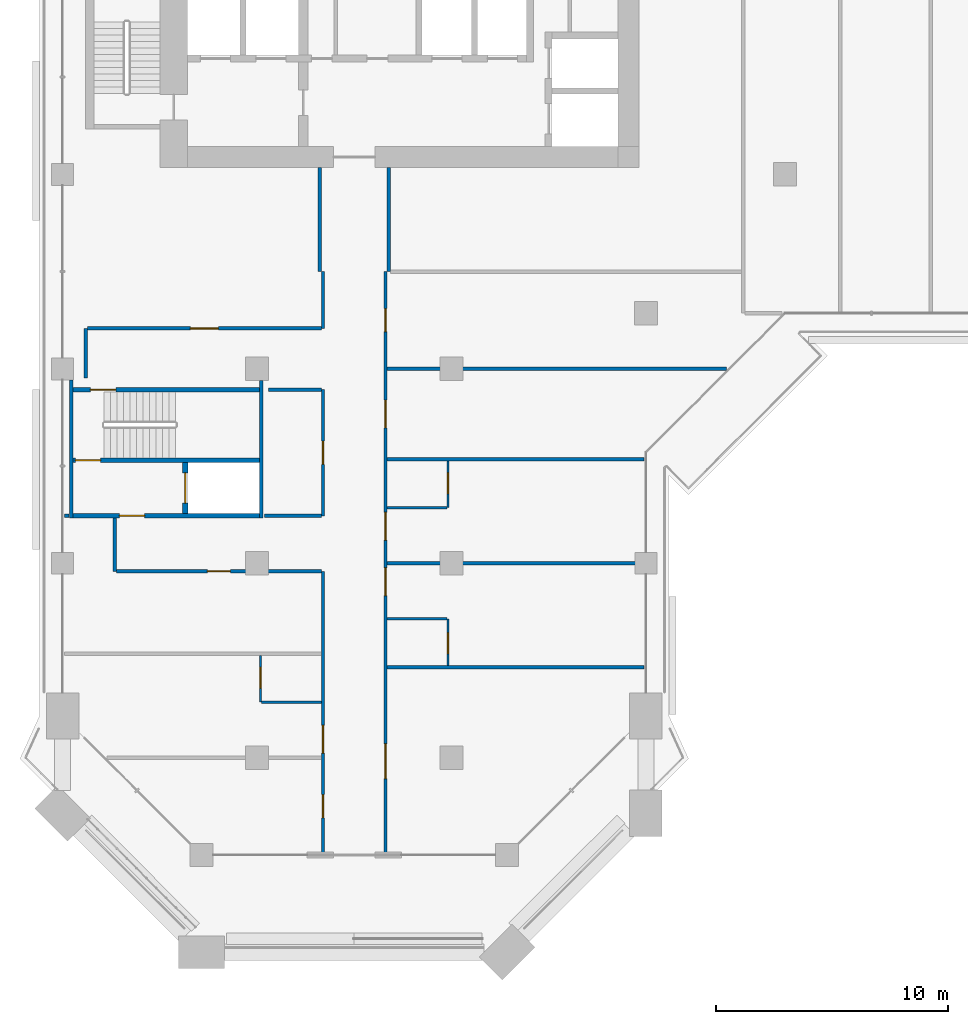
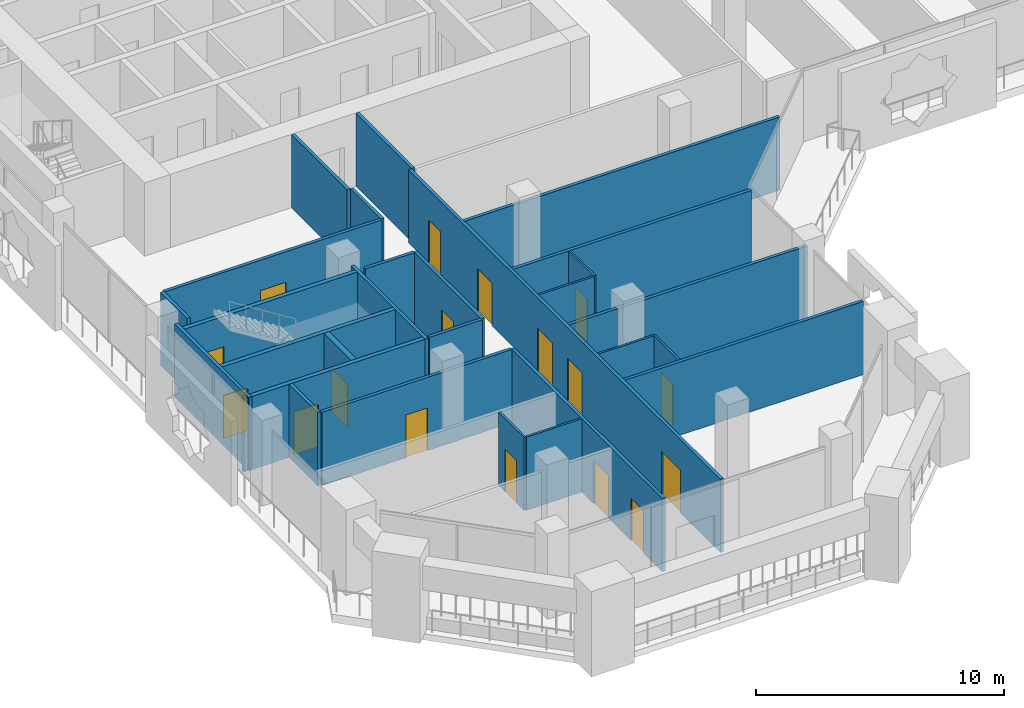
# One storey, part 10 of 22: 29 walls, 17 doors, 17 openings.
"""IFC4 building model written with IfcOpenShell, lengths in metres."""

from ifc_helpers import new_model, si_unit, direction, frame, frame_2d, origin, place, context, subcontext, project, spatial, rectangle, extrude, material, layer, layer_set, type_object, element, fill, save


model = new_model("IFC4")

# Units and contexts
model_context = context("Model", 3, precision=1e-05, world=origin(), true_north=direction((0.0, 1.0)))
body_context = subcontext(model_context, "Body", "Model", "MODEL_VIEW")
ifc_project = project(units=[si_unit("LENGTHUNIT", "METRE"), si_unit("AREAUNIT", "SQUARE_METRE"), si_unit("VOLUMEUNIT", "CUBIC_METRE"), si_unit("PLANEANGLEUNIT", "RADIAN"), si_unit("MASSUNIT", "GRAM", prefix="KILO")], contexts=[model_context])

# Site, building, storey
site_placement = place(None, origin())
site = spatial("IfcSite", under=ifc_project, at=site_placement, CompositionType="ELEMENT")
building_placement = place(site_placement, origin())
building = spatial("IfcBuilding", under=site, at=building_placement, Name="Kawkab Arch Medical Tower", CompositionType="ELEMENT")
storey_placement = place(building_placement, frame((0.0, 0.0, 171.0)))
storey = spatial("IfcBuildingStorey", under=building, at=storey_placement, Name="L39", CompositionType="ELEMENT", Elevation=171.0)

# Wall, opening, door
ifc_material_1 = material(Name="Concrete C60/75", Category="concrete")
ifc_layer_1 = layer(ifc_material_1, 0.25)
ifc_layer_set_1 = layer_set([ifc_layer_1], Name="Concrete C60/75")
wall_type_1 = type_object("IfcWallType", Name="Core shear wall 250 C60/75", PredefinedType="SHEAR", material=ifc_layer_set_1)
wall_1_placement = place(storey_placement, frame((5.300048828125, -39.85009765625, 0.0), z_axis=(0.0, 0.0, 1.0), x_axis=(0.0, 1.0, 0.0)))
wall_1 = element("IfcWall", 1, at=wall_1_placement, inside=storey, type_object=wall_type_1, Name="L39 core shear wall", PredefinedType="SHEAR", context=body_context, shape_type="SweptSolid", body=[
    extrude(rectangle(XDim=2.2001953125, YDim=0.25, at=frame_2d((1.10009765625, 0.0))), origin(), (0.0, 0.0, 1.0), 3.60009765625),
])
opening_1_placement = place(wall_1_placement, frame((0.449951171875, 0.0, 0.0)))
opening_1 = element("IfcOpeningElement", 2, at=opening_1_placement, cuts=wall_1, Name="Opening LD2", PredefinedType="OPENING", context=body_context, shape_type="SweptSolid", body=[
    extrude(rectangle(XDim=1.300048828125, YDim=2.10009765625, at=frame_2d((0.64990234375, 1.050048828125))), frame((0.0, 0.135009765625, 0.0), z_axis=(0.0, -1.0, 0.0), x_axis=(1.0, 0.0, 0.0)), (0.0, 0.0, 1.0), 0.27001953125),
])
ifc_material_2 = material(Name="Stainless steel lift door leaf", Category="steel")
door_type_1 = type_object("IfcDoorType", Name="Lift landing door 1300", OperationType="DOUBLE_DOOR_SLIDING", PredefinedType="DOOR", material=ifc_material_2)
door_1_placement = place(opening_1_placement, origin())
door_1 = element("IfcDoor", 3, at=door_1_placement, inside=storey, type_object=door_type_1, Name="L39 Lift landing door SV2", OperationType="DOUBLE_DOOR_SLIDING", OverallHeight=2.10009765625, OverallWidth=1.300048828125, PredefinedType="DOOR", context=body_context, shape_type="SweptSolid", body=[
    extrude(rectangle(XDim=1.300048828125, YDim=2.10009765625, at=frame_2d((0.64990234375, 1.050048828125))), frame((0.0, 0.02490234375, 0.0), z_axis=(0.0, -1.0, 0.0), x_axis=(1.0, 0.0, 0.0)), (0.0, 0.0, 1.0), 0.050048828125),
])
fill(opening_1, door_1)

# Walls
ifc_material_3 = material(Name="Gypsum board partition on steel studs", Category="steel")
ifc_layer_2 = layer(ifc_material_3, 0.10009765625)
ifc_layer_set_2 = layer_set([ifc_layer_2], Name="Gypsum board partition on steel studs")
wall_type_2 = type_object("IfcWallType", Name="Partition 100", PredefinedType="PARTITIONING", material=ifc_layer_set_2)
wall_2_placement = place(storey_placement, frame((8.60009765625, -48.0, 0.0), z_axis=(0.0, 0.0, 1.0), x_axis=(1.0, 0.0, 0.0)))
element("IfcWall", 4, at=wall_2_placement, inside=storey, type_object=wall_type_2, Name="Partition 100 w001", PredefinedType="PARTITIONING", context=body_context, shape_type="SweptSolid", body=[
    extrude(rectangle(XDim=2.574951171875, YDim=0.10009765625, at=frame_2d((1.28759765625, 0.0))), origin(), (0.0, 0.0, 1.0), 3.60009765625),
])
for number, where, z_axis, x_axis, name in (
    (5, (14.02490234375, -44.39990234375, 0.0), (0.0, 0.0, 1.0), (1.0, 0.0, 0.0), "Partition 100 w002"),
    (6, (14.02490234375, -39.60009765625, 0.0), (0.0, 0.0, 1.0), (1.0, 0.0, 0.0), "Partition 100 w003"),
):
    element("IfcWall", number, at=place(storey_placement, frame(where, z_axis=z_axis, x_axis=x_axis)), inside=storey, type_object=wall_type_2, Name=name, PredefinedType="PARTITIONING", context=body_context, shape_type="SweptSolid", body=[
        extrude(rectangle(XDim=2.5751953125, YDim=0.10009765625, at=frame_2d((1.28759765625, 0.0))), origin(), (0.0, 0.0, 1.0), 3.60009765625),
    ])

# Wall, opening, door
wall_3_placement = place(storey_placement, frame((8.550048828125, -48.0, 0.0), z_axis=(0.0, 0.0, 1.0), x_axis=(0.0, 1.0, 0.0)))
wall_3 = element("IfcWall", 7, at=wall_3_placement, inside=storey, type_object=wall_type_2, Name="Partition 100 w009", PredefinedType="PARTITIONING", context=body_context, shape_type="SweptSolid", body=[
    extrude(rectangle(XDim=2.02490234375, YDim=0.10009765625, at=frame_2d((1.012451171875, 0.0))), origin(), (0.0, 0.0, 1.0), 3.60009765625),
])
opening_2_placement = place(wall_3_placement, frame((0.60009765625, 0.0, 0.0)))
opening_2 = element("IfcOpeningElement", 8, at=opening_2_placement, cuts=wall_3, Name="Opening W39-009", PredefinedType="OPENING", context=body_context, shape_type="SweptSolid", body=[
    extrude(rectangle(XDim=0.89990234375, YDim=2.10009765625, at=frame_2d((0.449951171875, 1.050048828125))), frame((0.0, 0.06005859375, 0.0), z_axis=(0.0, -1.0, 0.0), x_axis=(1.0, 0.0, 0.0)), (0.0, 0.0, 1.0), 0.1201171875),
])
ifc_material_4 = material(Name="Timber door leaf", Category="wood")
door_type_2 = type_object("IfcDoorType", Name="Single door 900x2100", OperationType="NOTDEFINED", PredefinedType="DOOR", material=ifc_material_4)
door_2_placement = place(opening_2_placement, origin())
door_2 = element("IfcDoor", 9, at=door_2_placement, inside=storey, type_object=door_type_2, Name="Door W39-009", OperationType="SINGLE_SWING_RIGHT", OverallHeight=2.10009765625, OverallWidth=0.89990234375, PredefinedType="DOOR", context=body_context, shape_type="SweptSolid", body=[
    extrude(rectangle(XDim=0.89990234375, YDim=2.10009765625, at=frame_2d((0.449951171875, 1.050048828125))), frame((0.0, 0.02490234375, 0.0), z_axis=(0.0, -1.0, 0.0), x_axis=(1.0, 0.0, 0.0)), (0.0, 0.0, 1.0), 0.050048828125),
])
fill(opening_2, door_2)

wall_4_placement = place(storey_placement, frame((16.64990234375, -46.425048828125, 0.0), z_axis=(0.0, 0.0, 1.0), x_axis=(0.0, 1.0, 0.0)))
wall_4 = element("IfcWall", 10, at=wall_4_placement, inside=storey, type_object=wall_type_2, Name="Partition 100 w010", PredefinedType="PARTITIONING", context=body_context, shape_type="SweptSolid", body=[
    extrude(rectangle(XDim=2.025146484375, YDim=0.10009765625, at=frame_2d((1.0126953125, 0.0))), origin(), (0.0, 0.0, 1.0), 3.60009765625),
])
opening_3_placement = place(wall_4_placement, frame((0.52490234375, 0.0, 0.0)))
opening_3 = element("IfcOpeningElement", 11, at=opening_3_placement, cuts=wall_4, Name="Opening W39-011", PredefinedType="OPENING", context=body_context, shape_type="SweptSolid", body=[
    extrude(rectangle(XDim=0.89990234375, YDim=2.10009765625, at=frame_2d((0.449951171875, 1.050048828125))), frame((0.0, 0.06005859375, 0.0), z_axis=(0.0, -1.0, 0.0), x_axis=(1.0, 0.0, 0.0)), (0.0, 0.0, 1.0), 0.1201171875),
])
door_3_placement = place(opening_3_placement, origin())
door_3 = element("IfcDoor", 12, at=door_3_placement, inside=storey, type_object=door_type_2, Name="Door W39-011", OperationType="SINGLE_SWING_RIGHT", OverallHeight=2.10009765625, OverallWidth=0.89990234375, PredefinedType="DOOR", context=body_context, shape_type="SweptSolid", body=[
    extrude(rectangle(XDim=0.89990234375, YDim=2.10009765625, at=frame_2d((0.449951171875, 1.050048828125))), frame((0.0, 0.02490234375, 0.0), z_axis=(0.0, -1.0, 0.0), x_axis=(1.0, 0.0, 0.0)), (0.0, 0.0, 1.0), 0.050048828125),
])
fill(opening_3, door_3)

wall_5_placement = place(storey_placement, frame((16.64990234375, -39.60009765625, 0.0), z_axis=(0.0, 0.0, 1.0), x_axis=(0.0, 1.0, 0.0)))
wall_5 = element("IfcWall", 13, at=wall_5_placement, inside=storey, type_object=wall_type_2, Name="Partition 100 w011", PredefinedType="PARTITIONING", context=body_context, shape_type="SweptSolid", body=[
    extrude(rectangle(XDim=2.025146484375, YDim=0.10009765625, at=frame_2d((1.0126953125, 0.0))), origin(), (0.0, 0.0, 1.0), 3.60009765625),
])
opening_4_placement = place(wall_5_placement, frame((0.60009765625, 0.0, 0.0)))
opening_4 = element("IfcOpeningElement", 14, at=opening_4_placement, cuts=wall_5, Name="Opening W39-010", PredefinedType="OPENING", context=body_context, shape_type="SweptSolid", body=[
    extrude(rectangle(XDim=0.89990234375, YDim=2.10009765625, at=frame_2d((0.449951171875, 1.050048828125))), frame((0.0, 0.06005859375, 0.0), z_axis=(0.0, -1.0, 0.0), x_axis=(1.0, 0.0, 0.0)), (0.0, 0.0, 1.0), 0.1201171875),
])
door_4_placement = place(opening_4_placement, origin())
door_4 = element("IfcDoor", 15, at=door_4_placement, inside=storey, type_object=door_type_2, Name="Door W39-010", OperationType="SINGLE_SWING_RIGHT", OverallHeight=2.10009765625, OverallWidth=0.89990234375, PredefinedType="DOOR", context=body_context, shape_type="SweptSolid", body=[
    extrude(rectangle(XDim=0.89990234375, YDim=2.10009765625, at=frame_2d((0.449951171875, 1.050048828125))), frame((0.0, 0.02490234375, 0.0), z_axis=(0.0, -1.0, 0.0), x_axis=(1.0, 0.0, 0.0)), (0.0, 0.0, 1.0), 0.050048828125),
])
fill(opening_4, door_4)

# Wall
ifc_material_5 = material(Name="Gypsum board partition on steel studs, mineral wool", Category="steel")
ifc_layer_3 = layer(ifc_material_5, 0.14990234375)
ifc_layer_set_3 = layer_set([ifc_layer_3], Name="Gypsum board partition on steel studs, mineral wool")
wall_type_3 = type_object("IfcWallType", Name="Partition 150", PredefinedType="PARTITIONING", material=ifc_layer_set_3)
wall_6_placement = place(storey_placement, frame((14.02490234375, -46.5, 0.0), z_axis=(0.0, 0.0, 1.0), x_axis=(1.0, 0.0, 0.0)))
element("IfcWall", 16, at=wall_6_placement, inside=storey, type_object=wall_type_3, Name="Partition 150 w019", PredefinedType="PARTITIONING", context=body_context, shape_type="SweptSolid", body=[
    extrude(rectangle(XDim=11.09521484375, YDim=0.14990234375, at=frame_2d((5.547607421875, 0.0))), origin(), (0.0, 0.0, 1.0), 3.60009765625),
])

# Wall, opening, door
wall_7_placement = place(storey_placement, frame((2.326904296875, -42.35009765625, 0.0), z_axis=(0.0, 0.0, 1.0), x_axis=(1.0, 0.0, 0.0)))
wall_7 = element("IfcWall", 17, at=wall_7_placement, inside=storey, type_object=wall_type_3, Name="Partition 150 w021", PredefinedType="PARTITIONING", context=body_context, shape_type="SweptSolid", body=[
    extrude(rectangle(XDim=8.84814453125, YDim=0.14990234375, at=frame_2d((4.424072265625, 0.0))), origin(), (0.0, 0.0, 1.0), 3.60009765625),
])
opening_5_placement = place(wall_7_placement, frame((3.924072265625, 0.0, 0.0)))
opening_5 = element("IfcOpeningElement", 18, at=opening_5_placement, cuts=wall_7, Name="Opening W39-023", PredefinedType="OPENING", context=body_context, shape_type="SweptSolid", body=[
    extrude(rectangle(XDim=1.0, YDim=2.10009765625, at=frame_2d((0.5, 1.050048828125))), frame((0.0, 0.0849609375, 0.0), z_axis=(0.0, -1.0, 0.0), x_axis=(1.0, 0.0, 0.0)), (0.0, 0.0, 1.0), 0.169921875),
])
ifc_material_6 = material(Name="Hollow metal door leaf")
door_type_3 = type_object("IfcDoorType", Name="Single door 1000x2100 FD30S", OperationType="NOTDEFINED", PredefinedType="DOOR", material=ifc_material_6)
door_5_placement = place(opening_5_placement, origin())
door_5 = element("IfcDoor", 19, at=door_5_placement, inside=storey, type_object=door_type_3, Name="Door W39-023", OperationType="SINGLE_SWING_LEFT", OverallHeight=2.10009765625, OverallWidth=1.0, PredefinedType="DOOR", context=body_context, shape_type="SweptSolid", body=[
    extrude(rectangle(XDim=1.0, YDim=2.10009765625, at=frame_2d((0.5, 1.050048828125))), frame((0.0, 0.02490234375, 0.0), z_axis=(0.0, -1.0, 0.0), x_axis=(1.0, 0.0, 0.0)), (0.0, 0.0, 1.0), 0.050048828125),
])
fill(opening_5, door_5)

# Walls
wall_8_placement = place(storey_placement, frame((14.02490234375, -42.0, 0.0), z_axis=(0.0, 0.0, 1.0), x_axis=(1.0, 0.0, 0.0)))
element("IfcWall", 20, at=wall_8_placement, inside=storey, type_object=wall_type_3, Name="Partition 150 w022", PredefinedType="PARTITIONING", context=body_context, shape_type="SweptSolid", body=[
    extrude(rectangle(XDim=11.09521484375, YDim=0.14990234375, at=frame_2d((5.547607421875, 0.0))), origin(), (0.0, 0.0, 1.0), 3.60009765625),
])
wall_9_placement = place(storey_placement, frame((0.080078125, -39.949951171875, 0.0), z_axis=(0.0, 0.0, 1.0), x_axis=(1.0, 0.0, 0.0)))
element("IfcWall", 21, at=wall_9_placement, inside=storey, type_object=wall_type_3, Name="Partition 150 w023", PredefinedType="PARTITIONING", context=body_context, shape_type="SweptSolid", body=[
    extrude(rectangle(XDim=0.18994140625, YDim=0.14990234375, at=frame_2d((0.094970703125, 0.0))), origin(), (0.0, 0.0, 1.0), 3.60009765625),
])
wall_10_placement = place(storey_placement, frame((8.72998046875, -39.949951171875, 0.0), z_axis=(0.0, 0.0, 1.0), x_axis=(1.0, 0.0, 0.0)))
element("IfcWall", 22, at=wall_10_placement, inside=storey, type_object=wall_type_3, Name="Partition 150 w024", PredefinedType="PARTITIONING", context=body_context, shape_type="SweptSolid", body=[
    extrude(rectangle(XDim=2.445068359375, YDim=0.14990234375, at=frame_2d((1.22265625, 0.0))), origin(), (0.0, 0.0, 1.0), 3.60009765625),
])
wall_11_placement = place(storey_placement, frame((14.02490234375, -37.5, 0.0), z_axis=(0.0, 0.0, 1.0), x_axis=(1.0, 0.0, 0.0)))
element("IfcWall", 23, at=wall_11_placement, inside=storey, type_object=wall_type_3, Name="Partition 150 w025", PredefinedType="PARTITIONING", context=body_context, shape_type="SweptSolid", body=[
    extrude(rectangle(XDim=11.09521484375, YDim=0.14990234375, at=frame_2d((5.547607421875, 0.0))), origin(), (0.0, 0.0, 1.0), 3.60009765625),
])
wall_12_placement = place(storey_placement, frame((8.89990234375, -34.5, 0.0), z_axis=(0.0, 0.0, 1.0), x_axis=(1.0, 0.0, 0.0)))
element("IfcWall", 24, at=wall_12_placement, inside=storey, type_object=wall_type_3, Name="Partition 150 w026", PredefinedType="PARTITIONING", context=body_context, shape_type="SweptSolid", body=[
    extrude(rectangle(XDim=2.275146484375, YDim=0.14990234375, at=frame_2d((1.1376953125, 0.0))), origin(), (0.0, 0.0, 1.0), 3.60009765625),
])
wall_13_placement = place(storey_placement, frame((14.02490234375, -33.60009765625, 0.0), z_axis=(0.0, 0.0, 1.0), x_axis=(1.0, 0.0, 0.0)))
element("IfcWall", 25, at=wall_13_placement, inside=storey, type_object=wall_type_3, Name="Partition 150 w027", PredefinedType="PARTITIONING", context=body_context, shape_type="SweptSolid", body=[
    extrude(rectangle(XDim=14.662109375, YDim=0.14990234375, at=frame_2d((7.3310546875, 0.0))), origin(), (0.0, 0.0, 1.0), 3.60009765625),
])

# Wall, opening, door
wall_14_placement = place(storey_placement, frame((1.076904296875, -31.85693359375, 0.0), z_axis=(0.0, 0.0, 1.0), x_axis=(1.0, 0.0, 0.0)))
wall_14 = element("IfcWall", 26, at=wall_14_placement, inside=storey, type_object=wall_type_3, Name="Partition 150 w028", PredefinedType="PARTITIONING", context=body_context, shape_type="SweptSolid", body=[
    extrude(rectangle(XDim=10.09814453125, YDim=0.14990234375, at=frame_2d((5.049072265625, 0.0))), origin(), (0.0, 0.0, 1.0), 3.60009765625),
])
opening_6_placement = place(wall_14_placement, frame((4.448974609375, 0.0, 0.0)))
opening_6 = element("IfcOpeningElement", 27, at=opening_6_placement, cuts=wall_14, Name="Opening W39-034", PredefinedType="OPENING", context=body_context, shape_type="SweptSolid", body=[
    extrude(rectangle(XDim=1.199951171875, YDim=2.10009765625, at=frame_2d((0.60009765625, 1.050048828125))), frame((0.0, 0.0849609375, 0.0), z_axis=(0.0, -1.0, 0.0), x_axis=(1.0, 0.0, 0.0)), (0.0, 0.0, 1.0), 0.169921875),
])
ifc_material_7 = material(Name="Hollow metal door leaf")
door_type_4 = type_object("IfcDoorType", Name="Single door 1200x2100 FD30S", OperationType="NOTDEFINED", PredefinedType="DOOR", material=ifc_material_7)
door_6_placement = place(opening_6_placement, origin())
door_6 = element("IfcDoor", 28, at=door_6_placement, inside=storey, type_object=door_type_4, Name="Door W39-034", OperationType="SINGLE_SWING_RIGHT", OverallHeight=2.10009765625, OverallWidth=1.199951171875, PredefinedType="DOOR", context=body_context, shape_type="SweptSolid", body=[
    extrude(rectangle(XDim=1.199951171875, YDim=2.10009765625, at=frame_2d((0.60009765625, 1.050048828125))), frame((0.0, 0.02490234375, 0.0), z_axis=(0.0, -1.0, 0.0), x_axis=(1.0, 0.0, 0.0)), (0.0, 0.0, 1.0), 0.050048828125),
])
fill(opening_6, door_6)

# Walls
wall_15_placement = place(storey_placement, frame((1.0, -33.9970703125, 0.0), z_axis=(0.0, 0.0, 1.0), x_axis=(0.0, 1.0, 0.0)))
element("IfcWall", 29, at=wall_15_placement, inside=storey, type_object=wall_type_3, Name="Partition 150 w042", PredefinedType="PARTITIONING", context=body_context, shape_type="SweptSolid", body=[
    extrude(rectangle(XDim=2.136962890625, YDim=0.14990234375, at=frame_2d((1.068359375, 0.0))), origin(), (0.0, 0.0, 1.0), 3.60009765625),
])
wall_16_placement = place(storey_placement, frame((2.25, -42.347900390625, 0.0), z_axis=(0.0, 0.0, 1.0), x_axis=(0.0, 1.0, 0.0)))
element("IfcWall", 30, at=wall_16_placement, inside=storey, type_object=wall_type_3, Name="Partition 150 w043", PredefinedType="PARTITIONING", context=body_context, shape_type="SweptSolid", body=[
    extrude(rectangle(XDim=2.2978515625, YDim=0.14990234375, at=frame_2d((1.14892578125, 0.0))), origin(), (0.0, 0.0, 1.0), 3.60009765625),
])
wall_17_placement = place(storey_placement, frame((11.10009765625, -29.39697265625, 0.0), z_axis=(0.0, 0.0, 1.0), x_axis=(0.0, 1.0, 0.0)))
element("IfcWall", 31, at=wall_17_placement, inside=storey, type_object=wall_type_3, Name="Partition 150 w044", PredefinedType="PARTITIONING", context=body_context, shape_type="SweptSolid", body=[
    extrude(rectangle(XDim=4.4970703125, YDim=0.14990234375, at=frame_2d((2.24853515625, 0.0))), origin(), (0.0, 0.0, 1.0), 3.60009765625),
])

# Wall, openings, doors
wall_18_placement = place(storey_placement, frame((11.25, -54.52001953125, 0.0), z_axis=(0.0, 0.0, 1.0), x_axis=(0.0, 1.0, 0.0)))
wall_18 = element("IfcWall", 32, at=wall_18_placement, inside=storey, type_object=wall_type_3, Name="Partition 150 w046", PredefinedType="PARTITIONING", context=body_context, shape_type="SweptSolid", body=[
    extrude(rectangle(XDim=12.169921875, YDim=0.14990234375, at=frame_2d((6.0849609375, 0.0))), origin(), (0.0, 0.0, 1.0), 3.60009765625),
])
opening_7_placement = place(wall_18_placement, frame((4.320068359375, 0.0, 0.0)))
opening_7 = element("IfcOpeningElement", 33, at=opening_7_placement, cuts=wall_18, Name="Opening W39-035", PredefinedType="OPENING", context=body_context, shape_type="SweptSolid", body=[
    extrude(rectangle(XDim=1.199951171875, YDim=2.10009765625, at=frame_2d((0.60009765625, 1.050048828125))), frame((0.0, 0.0849609375, 0.0), z_axis=(0.0, -1.0, 0.0), x_axis=(1.0, 0.0, 0.0)), (0.0, 0.0, 1.0), 0.169921875),
])
opening_8_placement = place(wall_18_placement, frame((1.52001953125, 0.0, 0.0)))
opening_8 = element("IfcOpeningElement", 34, at=opening_8_placement, cuts=wall_18, Name="Opening W39-024", PredefinedType="OPENING", context=body_context, shape_type="SweptSolid", body=[
    extrude(rectangle(XDim=1.0, YDim=2.10009765625, at=frame_2d((0.5, 1.050048828125))), frame((0.0, 0.0849609375, 0.0), z_axis=(0.0, -1.0, 0.0), x_axis=(1.0, 0.0, 0.0)), (0.0, 0.0, 1.0), 0.169921875),
])
door_7_placement = place(opening_8_placement, origin())
door_7 = element("IfcDoor", 35, at=door_7_placement, inside=storey, type_object=door_type_3, Name="Door W39-024", OperationType="SINGLE_SWING_LEFT", OverallHeight=2.10009765625, OverallWidth=1.0, PredefinedType="DOOR", context=body_context, shape_type="SweptSolid", body=[
    extrude(rectangle(XDim=1.0, YDim=2.10009765625, at=frame_2d((0.5, 1.050048828125))), frame((0.0, 0.02490234375, 0.0), z_axis=(0.0, -1.0, 0.0), x_axis=(1.0, 0.0, 0.0)), (0.0, 0.0, 1.0), 0.050048828125),
])
fill(opening_8, door_7)
door_8_placement = place(opening_7_placement, origin())
door_8 = element("IfcDoor", 36, at=door_8_placement, inside=storey, type_object=door_type_4, Name="Door W39-035", OperationType="SINGLE_SWING_LEFT", OverallHeight=2.10009765625, OverallWidth=1.199951171875, PredefinedType="DOOR", context=body_context, shape_type="SweptSolid", body=[
    extrude(rectangle(XDim=1.199951171875, YDim=2.10009765625, at=frame_2d((0.60009765625, 1.050048828125))), frame((0.0, 0.02490234375, 0.0), z_axis=(0.0, -1.0, 0.0), x_axis=(1.0, 0.0, 0.0)), (0.0, 0.0, 1.0), 0.050048828125),
])
fill(opening_7, door_8)

# Wall, opening, door
wall_19_placement = place(storey_placement, frame((11.25, -39.949951171875, 0.0), z_axis=(0.0, 0.0, 1.0), x_axis=(0.0, 1.0, 0.0)))
wall_19 = element("IfcWall", 37, at=wall_19_placement, inside=storey, type_object=wall_type_3, Name="Partition 150 w047", PredefinedType="PARTITIONING", context=body_context, shape_type="SweptSolid", body=[
    extrude(rectangle(XDim=5.449951171875, YDim=0.14990234375, at=frame_2d((2.72509765625, 0.0))), origin(), (0.0, 0.0, 1.0), 3.60009765625),
])
opening_9_placement = place(wall_19_placement, frame((2.22509765625, 0.0, 0.0)))
opening_9 = element("IfcOpeningElement", 38, at=opening_9_placement, cuts=wall_19, Name="Opening W39-022", PredefinedType="OPENING", context=body_context, shape_type="SweptSolid", body=[
    extrude(rectangle(XDim=1.0, YDim=2.10009765625, at=frame_2d((0.5, 1.050048828125))), frame((0.0, 0.0849609375, 0.0), z_axis=(0.0, -1.0, 0.0), x_axis=(1.0, 0.0, 0.0)), (0.0, 0.0, 1.0), 0.169921875),
])
door_9_placement = place(opening_9_placement, origin())
door_9 = element("IfcDoor", 39, at=door_9_placement, inside=storey, type_object=door_type_3, Name="Door W39-022", OperationType="SINGLE_SWING_LEFT", OverallHeight=2.10009765625, OverallWidth=1.0, PredefinedType="DOOR", context=body_context, shape_type="SweptSolid", body=[
    extrude(rectangle(XDim=1.0, YDim=2.10009765625, at=frame_2d((0.5, 1.050048828125))), frame((0.0, 0.02490234375, 0.0), z_axis=(0.0, -1.0, 0.0), x_axis=(1.0, 0.0, 0.0)), (0.0, 0.0, 1.0), 0.050048828125),
])
fill(opening_9, door_9)

# Wall
wall_20_placement = place(storey_placement, frame((11.25, -31.85693359375, 0.0), z_axis=(0.0, 0.0, 1.0), x_axis=(0.0, 1.0, 0.0)))
element("IfcWall", 40, at=wall_20_placement, inside=storey, type_object=wall_type_3, Name="Partition 150 w048", PredefinedType="PARTITIONING", context=body_context, shape_type="SweptSolid", body=[
    extrude(rectangle(XDim=2.45703125, YDim=0.14990234375, at=frame_2d((1.228515625, 0.0))), origin(), (0.0, 0.0, 1.0), 3.60009765625),
])

# Wall, openings, doors
wall_21_placement = place(storey_placement, frame((13.949951171875, -54.52001953125, 0.0), z_axis=(0.0, 0.0, 1.0), x_axis=(0.0, 1.0, 0.0)))
wall_21 = element("IfcWall", 41, at=wall_21_placement, inside=storey, type_object=wall_type_3, Name="Partition 150 w049", PredefinedType="PARTITIONING", context=body_context, shape_type="SweptSolid", body=[
    extrude(rectangle(XDim=25.1201171875, YDim=0.14990234375, at=frame_2d((12.56005859375, 0.0))), origin(), (0.0, 0.0, 1.0), 3.60009765625),
])
opening_10_placement = place(wall_21_placement, frame((22.52001953125, 0.0, 0.0)))
opening_10 = element("IfcOpeningElement", 42, at=opening_10_placement, cuts=wall_21, Name="Opening W39-025", PredefinedType="OPENING", context=body_context, shape_type="SweptSolid", body=[
    extrude(rectangle(XDim=1.0, YDim=2.10009765625, at=frame_2d((0.5, 1.050048828125))), frame((0.0, 0.0849609375, 0.0), z_axis=(0.0, -1.0, 0.0), x_axis=(1.0, 0.0, 0.0)), (0.0, 0.0, 1.0), 0.169921875),
])
opening_11_placement = place(wall_21_placement, frame((18.3701171875, 0.0, 0.0)))
opening_11 = element("IfcOpeningElement", 43, at=opening_11_placement, cuts=wall_21, Name="Opening W39-036", PredefinedType="OPENING", context=body_context, shape_type="SweptSolid", body=[
    extrude(rectangle(XDim=1.199951171875, YDim=2.10009765625, at=frame_2d((0.60009765625, 1.050048828125))), frame((0.0, 0.0849609375, 0.0), z_axis=(0.0, -1.0, 0.0), x_axis=(1.0, 0.0, 0.0)), (0.0, 0.0, 1.0), 0.169921875),
])
opening_12_placement = place(wall_21_placement, frame((13.52001953125, 0.0, 0.0)))
opening_12 = element("IfcOpeningElement", 44, at=opening_12_placement, cuts=wall_21, Name="Opening W39-037", PredefinedType="OPENING", context=body_context, shape_type="SweptSolid", body=[
    extrude(rectangle(XDim=1.199951171875, YDim=2.10009765625, at=frame_2d((0.60009765625, 1.050048828125))), frame((0.0, 0.0849609375, 0.0), z_axis=(0.0, -1.0, 0.0), x_axis=(1.0, 0.0, 0.0)), (0.0, 0.0, 1.0), 0.169921875),
])
opening_13_placement = place(wall_21_placement, frame((11.1201171875, 0.0, 0.0)))
opening_13 = element("IfcOpeningElement", 45, at=opening_13_placement, cuts=wall_21, Name="Opening W39-038", PredefinedType="OPENING", context=body_context, shape_type="SweptSolid", body=[
    extrude(rectangle(XDim=1.199951171875, YDim=2.10009765625, at=frame_2d((0.60009765625, 1.050048828125))), frame((0.0, 0.0849609375, 0.0), z_axis=(0.0, -1.0, 0.0), x_axis=(1.0, 0.0, 0.0)), (0.0, 0.0, 1.0), 0.169921875),
])
opening_14_placement = place(wall_21_placement, frame((3.219970703125, 0.0, 0.0)))
opening_14 = element("IfcOpeningElement", 46, at=opening_14_placement, cuts=wall_21, Name="Opening W39-002", PredefinedType="OPENING", context=body_context, shape_type="SweptSolid", body=[
    extrude(rectangle(XDim=1.5, YDim=2.10009765625, at=frame_2d((0.75, 1.050048828125))), frame((0.0, 0.0849609375, 0.0), z_axis=(0.0, -1.0, 0.0), x_axis=(1.0, 0.0, 0.0)), (0.0, 0.0, 1.0), 0.169921875),
])
ifc_material_8 = material(Name="Hollow metal door leaf")
door_type_5 = type_object("IfcDoorType", Name="Double door 1500x2100 FD30S", OperationType="NOTDEFINED", PredefinedType="DOOR", material=ifc_material_8)
door_10_placement = place(opening_14_placement, origin())
door_10 = element("IfcDoor", 47, at=door_10_placement, inside=storey, type_object=door_type_5, Name="Door W39-002", OperationType="DOUBLE_DOOR_SINGLE_SWING", OverallHeight=2.10009765625, OverallWidth=1.5, PredefinedType="DOOR", context=body_context, shape_type="SweptSolid", body=[
    extrude(rectangle(XDim=1.5, YDim=2.10009765625, at=frame_2d((0.75, 1.050048828125))), frame((0.0, 0.02490234375, 0.0), z_axis=(0.0, -1.0, 0.0), x_axis=(1.0, 0.0, 0.0)), (0.0, 0.0, 1.0), 0.050048828125),
])
fill(opening_14, door_10)
door_11_placement = place(opening_10_placement, origin())
door_11 = element("IfcDoor", 48, at=door_11_placement, inside=storey, type_object=door_type_3, Name="Door W39-025", OperationType="SINGLE_SWING_LEFT", OverallHeight=2.10009765625, OverallWidth=1.0, PredefinedType="DOOR", context=body_context, shape_type="SweptSolid", body=[
    extrude(rectangle(XDim=1.0, YDim=2.10009765625, at=frame_2d((0.5, 1.050048828125))), frame((0.0, 0.02490234375, 0.0), z_axis=(0.0, -1.0, 0.0), x_axis=(1.0, 0.0, 0.0)), (0.0, 0.0, 1.0), 0.050048828125),
])
fill(opening_10, door_11)
door_12_placement = place(opening_11_placement, origin())
door_12 = element("IfcDoor", 49, at=door_12_placement, inside=storey, type_object=door_type_4, Name="Door W39-036", OperationType="SINGLE_SWING_LEFT", OverallHeight=2.10009765625, OverallWidth=1.199951171875, PredefinedType="DOOR", context=body_context, shape_type="SweptSolid", body=[
    extrude(rectangle(XDim=1.199951171875, YDim=2.10009765625, at=frame_2d((0.60009765625, 1.050048828125))), frame((0.0, 0.02490234375, 0.0), z_axis=(0.0, -1.0, 0.0), x_axis=(1.0, 0.0, 0.0)), (0.0, 0.0, 1.0), 0.050048828125),
])
fill(opening_11, door_12)
door_13_placement = place(opening_12_placement, origin())
door_13 = element("IfcDoor", 50, at=door_13_placement, inside=storey, type_object=door_type_4, Name="Door W39-037", OperationType="SINGLE_SWING_LEFT", OverallHeight=2.10009765625, OverallWidth=1.199951171875, PredefinedType="DOOR", context=body_context, shape_type="SweptSolid", body=[
    extrude(rectangle(XDim=1.199951171875, YDim=2.10009765625, at=frame_2d((0.60009765625, 1.050048828125))), frame((0.0, 0.02490234375, 0.0), z_axis=(0.0, -1.0, 0.0), x_axis=(1.0, 0.0, 0.0)), (0.0, 0.0, 1.0), 0.050048828125),
])
fill(opening_12, door_13)
door_14_placement = place(opening_13_placement, origin())
door_14 = element("IfcDoor", 51, at=door_14_placement, inside=storey, type_object=door_type_4, Name="Door W39-038", OperationType="SINGLE_SWING_RIGHT", OverallHeight=2.10009765625, OverallWidth=1.199951171875, PredefinedType="DOOR", context=body_context, shape_type="SweptSolid", body=[
    extrude(rectangle(XDim=1.199951171875, YDim=2.10009765625, at=frame_2d((0.60009765625, 1.050048828125))), frame((0.0, 0.02490234375, 0.0), z_axis=(0.0, -1.0, 0.0), x_axis=(1.0, 0.0, 0.0)), (0.0, 0.0, 1.0), 0.050048828125),
])
fill(opening_13, door_14)

# Walls
wall_22_placement = place(storey_placement, frame((14.10009765625, -29.39990234375, 0.0), z_axis=(0.0, 0.0, 1.0), x_axis=(0.0, 1.0, 0.0)))
element("IfcWall", 52, at=wall_22_placement, inside=storey, type_object=wall_type_3, Name="Partition 150 w050", PredefinedType="PARTITIONING", context=body_context, shape_type="SweptSolid", body=[
    extrude(rectangle(XDim=4.5, YDim=0.14990234375, at=frame_2d((2.25, 0.0))), origin(), (0.0, 0.0, 1.0), 3.60009765625),
])
ifc_material_9 = material(Name="Concrete C50/60", Category="concrete")
ifc_layer_4 = layer(ifc_material_9, 0.14990234375)
ifc_layer_set_4 = layer_set([ifc_layer_4], Name="Concrete C50/60")
wall_type_4 = type_object("IfcWallType", Name="Stair enclosure wall 150 C50/60", PredefinedType="SHEAR", material=ifc_layer_set_4)
wall_23_placement = place(storey_placement, frame((0.375, -40.050048828125, 0.0), z_axis=(0.0, 0.0, 1.0), x_axis=(0.0, 1.0, 0.0)))
element("IfcWall", 53, at=wall_23_placement, inside=storey, type_object=wall_type_4, Name="L39 stair enclosure wall", PredefinedType="SHEAR", context=body_context, shape_type="SweptSolid", body=[
    extrude(rectangle(XDim=5.97509765625, YDim=0.14990234375, at=frame_2d((2.987548828125, 0.0))), origin(), (0.0, 0.0, 1.0), 3.60009765625),
])
wall_24_placement = place(storey_placement, frame((8.574951171875, -40.050048828125, 0.0), z_axis=(0.0, 0.0, 1.0), x_axis=(0.0, 1.0, 0.0)))
element("IfcWall", 54, at=wall_24_placement, inside=storey, type_object=wall_type_4, Name="L39 stair enclosure wall", PredefinedType="SHEAR", context=body_context, shape_type="SweptSolid", body=[
    extrude(rectangle(XDim=5.949951171875, YDim=0.14990234375, at=frame_2d((2.97509765625, 0.0))), origin(), (0.0, 0.0, 1.0), 3.60009765625),
])

# Wall, opening, door
ifc_material_10 = material(Name="Concrete C50/60", Category="concrete")
ifc_layer_5 = layer(ifc_material_10, 0.199951171875)
ifc_layer_set_5 = layer_set([ifc_layer_5], Name="Concrete C50/60")
wall_type_5 = type_object("IfcWallType", Name="Stair enclosure wall 200 C50/60", PredefinedType="SHEAR", material=ifc_layer_set_5)
wall_25_placement = place(storey_placement, frame((0.449951171875, -34.5, 0.0), z_axis=(0.0, 0.0, 1.0), x_axis=(1.0, 0.0, 0.0)))
wall_25 = element("IfcWall", 55, at=wall_25_placement, inside=storey, type_object=wall_type_5, Name="L39 stair enclosure wall", PredefinedType="SHEAR", context=body_context, shape_type="SweptSolid", body=[
    extrude(rectangle(XDim=8.050048828125, YDim=0.199951171875, at=frame_2d((4.02490234375, 0.0))), origin(), (0.0, 0.0, 1.0), 3.60009765625),
])
opening_15_placement = place(wall_25_placement, frame((0.75, 0.0, 0.0)))
opening_15 = element("IfcOpeningElement", 56, at=opening_15_placement, cuts=wall_25, Name="Opening SD", PredefinedType="OPENING", context=body_context, shape_type="SweptSolid", body=[
    extrude(rectangle(XDim=1.10009765625, YDim=2.10009765625, at=frame_2d((0.550048828125, 1.050048828125))), frame((0.0, 0.10986328125, 0.0), z_axis=(0.0, -1.0, 0.0), x_axis=(1.0, 0.0, 0.0)), (0.0, 0.0, 1.0), 0.219970703125),
])
ifc_material_11 = material(Name="Hollow metal fire door leaf")
door_type_6 = type_object("IfcDoorType", Name="Exit stair door 1100", OperationType="SINGLE_SWING_LEFT", PredefinedType="DOOR", material=ifc_material_11)
door_15_placement = place(opening_15_placement, origin())
door_15 = element("IfcDoor", 57, at=door_15_placement, inside=storey, type_object=door_type_6, Name="L39 Exit stair ST6 door", OperationType="SINGLE_SWING_LEFT", OverallHeight=2.10009765625, OverallWidth=1.10009765625, PredefinedType="DOOR", context=body_context, shape_type="SweptSolid", body=[
    extrude(rectangle(XDim=1.10009765625, YDim=2.10009765625, at=frame_2d((0.550048828125, 1.050048828125))), frame((0.0, 0.02490234375, 0.0), z_axis=(0.0, -1.0, 0.0), x_axis=(1.0, 0.0, 0.0)), (0.0, 0.0, 1.0), 0.050048828125),
])
fill(opening_15, door_15)

wall_26_placement = place(storey_placement, frame((0.449951171875, -37.550048828125, 0.0), z_axis=(0.0, 0.0, 1.0), x_axis=(1.0, 0.0, 0.0)))
wall_26 = element("IfcWall", 58, at=wall_26_placement, inside=storey, type_object=wall_type_5, Name="L39 stair enclosure wall", PredefinedType="SHEAR", context=body_context, shape_type="SweptSolid", body=[
    extrude(rectangle(XDim=8.050048828125, YDim=0.199951171875, at=frame_2d((4.02490234375, 0.0))), origin(), (0.0, 0.0, 1.0), 3.60009765625),
])
opening_16_placement = place(wall_26_placement, frame((0.10009765625, 0.0, 0.0)))
opening_16 = element("IfcOpeningElement", 59, at=opening_16_placement, cuts=wall_26, Name="Opening SD", PredefinedType="OPENING", context=body_context, shape_type="SweptSolid", body=[
    extrude(rectangle(XDim=1.10009765625, YDim=2.10009765625, at=frame_2d((0.550048828125, 1.050048828125))), frame((0.0, 0.10986328125, 0.0), z_axis=(0.0, -1.0, 0.0), x_axis=(1.0, 0.0, 0.0)), (0.0, 0.0, 1.0), 0.219970703125),
])
door_16_placement = place(opening_16_placement, frame((1.10009765625, 0.0, 0.0), z_axis=(0.0, 0.0, 1.0), x_axis=(-1.0, 0.0, 0.0)))
door_16 = element("IfcDoor", 60, at=door_16_placement, inside=storey, type_object=door_type_6, Name="L39 Exit stair ST6 lobby door", OperationType="SINGLE_SWING_LEFT", OverallHeight=2.10009765625, OverallWidth=1.10009765625, PredefinedType="DOOR", context=body_context, shape_type="SweptSolid", body=[
    extrude(rectangle(XDim=1.10009765625, YDim=2.10009765625, at=frame_2d((0.550048828125, 1.050048828125))), frame((0.0, 0.02490234375, 0.0), z_axis=(0.0, -1.0, 0.0), x_axis=(1.0, 0.0, 0.0)), (0.0, 0.0, 1.0), 0.050048828125),
])
fill(opening_16, door_16)

wall_27_placement = place(storey_placement, frame((0.449951171875, -39.949951171875, 0.0), z_axis=(0.0, 0.0, 1.0), x_axis=(1.0, 0.0, 0.0)))
wall_27 = element("IfcWall", 61, at=wall_27_placement, inside=storey, type_object=wall_type_5, Name="L39 stair enclosure wall", PredefinedType="SHEAR", context=body_context, shape_type="SweptSolid", body=[
    extrude(rectangle(XDim=8.050048828125, YDim=0.199951171875, at=frame_2d((4.02490234375, 0.0))), origin(), (0.0, 0.0, 1.0), 3.60009765625),
])
opening_17_placement = place(wall_27_placement, frame((2.0, 0.0, 0.0)))
opening_17 = element("IfcOpeningElement", 62, at=opening_17_placement, cuts=wall_27, Name="Opening FD", PredefinedType="OPENING", context=body_context, shape_type="SweptSolid", body=[
    extrude(rectangle(XDim=1.10009765625, YDim=2.10009765625, at=frame_2d((0.550048828125, 1.050048828125))), frame((0.0, 0.10986328125, 0.0), z_axis=(0.0, -1.0, 0.0), x_axis=(1.0, 0.0, 0.0)), (0.0, 0.0, 1.0), 0.219970703125),
])
ifc_material_12 = material(Name="Hollow metal fire door leaf")
door_type_7 = type_object("IfcDoorType", Name="Firefighting lobby door 1100", OperationType="SINGLE_SWING_LEFT", PredefinedType="DOOR", material=ifc_material_12)
door_17_placement = place(opening_17_placement, origin())
door_17 = element("IfcDoor", 63, at=door_17_placement, inside=storey, type_object=door_type_7, Name="L39 Service lift lobby door SV2", OperationType="SINGLE_SWING_LEFT", OverallHeight=2.10009765625, OverallWidth=1.10009765625, PredefinedType="DOOR", context=body_context, shape_type="SweptSolid", body=[
    extrude(rectangle(XDim=1.10009765625, YDim=2.10009765625, at=frame_2d((0.550048828125, 1.050048828125))), frame((0.0, 0.02490234375, 0.0), z_axis=(0.0, -1.0, 0.0), x_axis=(1.0, 0.0, 0.0)), (0.0, 0.0, 1.0), 0.050048828125),
])
fill(opening_17, door_17)

save(model, "model.ifc")
